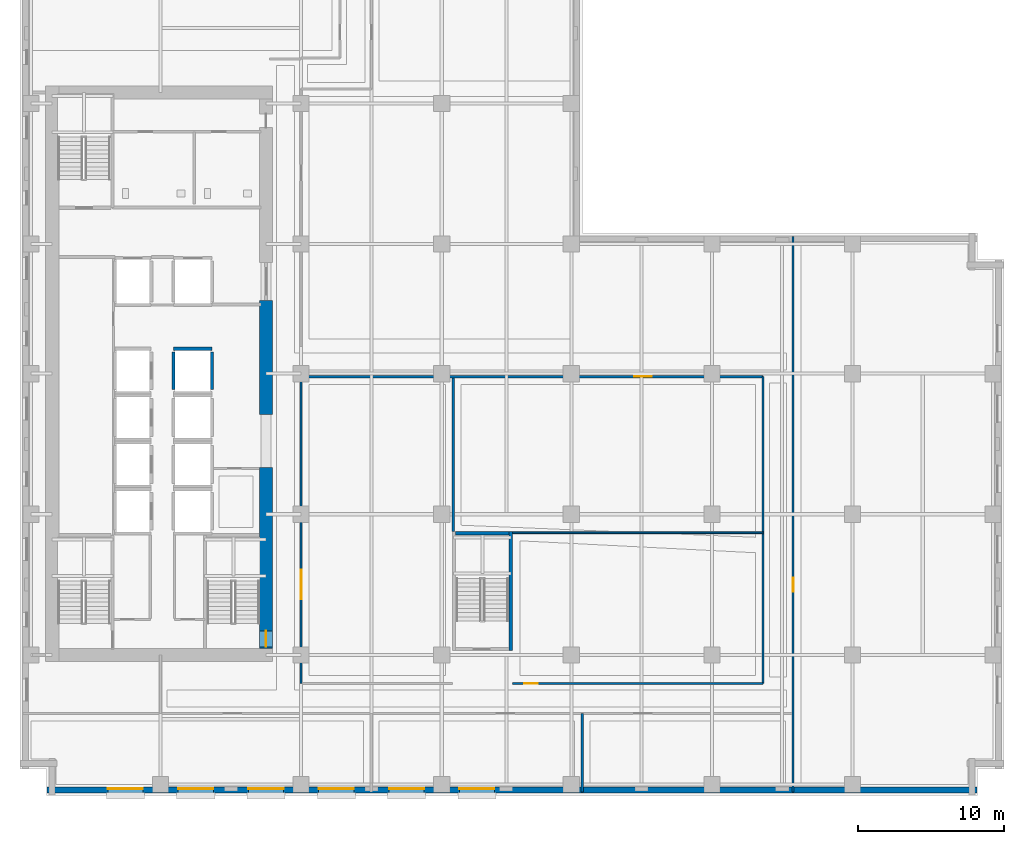
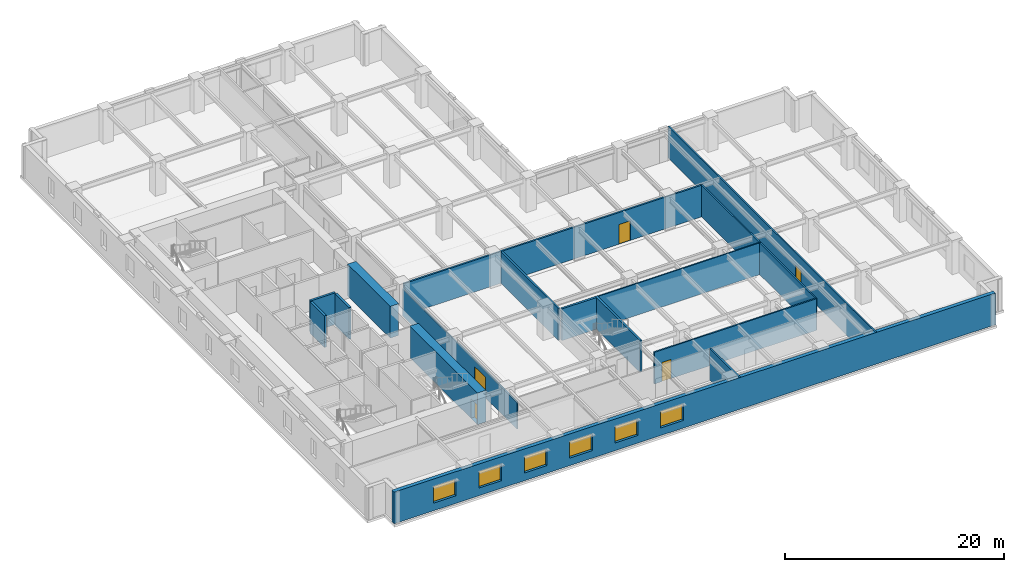
# One storey, part 5 of 14: 16 walls, 6 windows, 5 doors, 11 openings.
"""IFC4 building model written with IfcOpenShell, lengths in metres."""

from ifc_helpers import new_model, si_unit, direction, frame, frame_2d, origin, place, context, subcontext, project, spatial, rectangle, extrude, material, layer, layer_set, type_object, element, fill, save


model = new_model("IFC4")

# Units and contexts
model_context = context("Model", 3, precision=1e-05, world=origin(), true_north=direction((0.0, 1.0)))
body_context = subcontext(model_context, "Body", "Model", "MODEL_VIEW")
ifc_project = project(units=[si_unit("LENGTHUNIT", "METRE"), si_unit("AREAUNIT", "SQUARE_METRE"), si_unit("VOLUMEUNIT", "CUBIC_METRE"), si_unit("PLANEANGLEUNIT", "RADIAN"), si_unit("MASSUNIT", "GRAM", prefix="KILO")], contexts=[model_context])

# Site, building, storey
site_placement = place(None, origin())
site = spatial("IfcSite", under=ifc_project, at=site_placement, CompositionType="ELEMENT")
building_placement = place(site_placement, origin())
building = spatial("IfcBuilding", under=site, at=building_placement, Name="Norrvale University Quadrangle", CompositionType="ELEMENT")
storey_placement = place(building_placement, frame((0.0, 0.0, 73.60009765625)))
storey = spatial("IfcBuildingStorey", under=building, at=storey_placement, Name="L18", CompositionType="ELEMENT", Elevation=73.60009765625)

# Wall, opening, door
ifc_material_1 = material(Name="Concrete C80/95", Category="concrete")
ifc_layer_1 = layer(ifc_material_1, 0.89990234375, Name="Concrete C80/95")
ifc_layer_set_1 = layer_set([ifc_layer_1], Name="Concrete C80/95")
wall_type_1 = type_object("IfcWallType", Name="Wall Core 900", PredefinedType="SHEAR", material=ifc_layer_set_1)
wall_1_placement = place(storey_placement, frame((16.800048828125, 10.050048828125, 0.0), z_axis=(0.0, 0.0, 1.0), x_axis=(0.0, 1.0, 0.0)))
wall_1 = element("IfcWall", 1, at=wall_1_placement, inside=storey, type_object=wall_type_1, Name="Tower Core Shear Wall L18-E1", PredefinedType="SHEAR", context=body_context, shape_type="SweptSolid", body=[
    extrude(rectangle(XDim=12.349853515625, YDim=0.89990234375, at=frame_2d((6.1748046875, 0.0))), origin(), (0.0, 0.0, 1.0), 3.539794921875),
])
opening_1_placement = place(wall_1_placement, frame((0.090087890625, 0.0, 0.0)))
opening_1 = element("IfcOpeningElement", 2, at=opening_1_placement, cuts=wall_1, Name="Opening D02", PredefinedType="OPENING", context=body_context, shape_type="SweptSolid", body=[
    extrude(rectangle(XDim=1.10009765625, YDim=2.199951171875, at=frame_2d((0.550048828125, 1.10009765625))), frame((0.0, 0.4619140625, 0.0), z_axis=(0.0, -1.0, 0.0), x_axis=(1.0, 0.0, 0.0)), (0.0, 0.0, 1.0), 0.923828125),
])
ifc_material_2 = material(Name="Hollow Steel 350W Fire Door", Category="steel")
door_type_1 = type_object("IfcDoorType", Name="Door Stair Exit 1100x2200", OperationType="NOTDEFINED", PredefinedType="DOOR", material=ifc_material_2)
door_1_placement = place(opening_1_placement, origin())
door_1 = element("IfcDoor", 3, at=door_1_placement, inside=storey, type_object=door_type_1, Name="Door Stair Exit 1100x2200 DR-L18-ST03", OperationType="SINGLE_SWING_LEFT", OverallHeight=2.199951171875, OverallWidth=1.10009765625, PredefinedType="DOOR", context=body_context, shape_type="SweptSolid", body=[
    extrude(rectangle(XDim=1.10009765625, YDim=2.199951171875, at=frame_2d((0.550048828125, 1.10009765625))), frame((0.0, 0.02490234375, 0.0), z_axis=(0.0, -1.0, 0.0), x_axis=(1.0, 0.0, 0.0)), (0.0, 0.0, 1.0), 0.050048828125),
])
fill(opening_1, door_1)

# Walls
wall_2_placement = place(storey_placement, frame((16.800048828125, 26.0, 0.0), z_axis=(0.0, 0.0, 1.0), x_axis=(0.0, 1.0, 0.0)))
element("IfcWall", 4, at=wall_2_placement, inside=storey, type_object=wall_type_1, Name="Tower Core Shear Wall L18-E2", PredefinedType="SHEAR", context=body_context, shape_type="SweptSolid", body=[
    extrude(rectangle(XDim=7.800048828125, YDim=0.89990234375, at=frame_2d((3.89990234375, 0.0))), origin(), (0.0, 0.0, 1.0), 3.539794921875),
])
ifc_material_3 = material(Name="Standard Academic Gypsum Partition")
ifc_layer_2 = layer(ifc_material_3, 0.125, Name="Standard Academic Gypsum Partition")
ifc_layer_set_2 = layer_set([ifc_layer_2], Name="Standard Academic Gypsum Partition")
wall_type_2 = type_object("IfcWallType", Name="Wall Gypsum Academic 125", PredefinedType="PARTITIONING", material=ifc_layer_set_2)
wall_3_placement = place(storey_placement, frame((33.6201171875, 17.93994140625, 0.0), z_axis=(0.0, 0.0, 1.0), x_axis=(1.0, 0.0, 0.0)))
element("IfcWall", 5, at=wall_3_placement, inside=storey, type_object=wall_type_2, Name="Interior Partition WL-L18-ISLH", PredefinedType="PARTITIONING", context=body_context, shape_type="SweptSolid", body=[
    extrude(rectangle(XDim=17.1298828125, YDim=0.125, at=frame_2d((8.56494140625, 0.0))), origin(), (0.0, 0.0, 1.0), 3.539794921875),
])

# Wall, opening, door
ifc_material_4 = material(Name="Fire-Rated Gypsum Stud Partition")
ifc_layer_3 = layer(ifc_material_4, 0.14990234375, Name="Fire-Rated Gypsum Stud Partition")
ifc_layer_set_3 = layer_set([ifc_layer_3], Name="Fire-Rated Gypsum Stud Partition")
wall_type_3 = type_object("IfcWallType", Name="Wall Gypsum Corridor 150", PredefinedType="PARTITIONING", material=ifc_layer_set_3)
wall_4_placement = place(storey_placement, frame((52.800048828125, 0.219970703125, 0.0), z_axis=(0.0, 0.0, 1.0), x_axis=(0.0, 1.0, 0.0)))
wall_4 = element("IfcWall", 6, at=wall_4_placement, inside=storey, type_object=wall_type_3, Name="Interior Partition WL-L18-ECW", PredefinedType="PARTITIONING", context=body_context, shape_type="SweptSolid", body=[
    extrude(rectangle(XDim=37.9599609375, YDim=0.14990234375, at=frame_2d((18.97998046875, 0.0))), origin(), (0.0, 0.0, 1.0), 3.539794921875),
])
opening_2_placement = place(wall_4_placement, frame((13.679931640625, 0.0, 0.0)))
opening_2 = element("IfcOpeningElement", 7, at=opening_2_placement, cuts=wall_4, Name="Opening D07", PredefinedType="OPENING", context=body_context, shape_type="SweptSolid", body=[
    extrude(rectangle(XDim=0.949951171875, YDim=2.14990234375, at=frame_2d((0.47509765625, 1.074951171875))), frame((0.0, 0.0869140625, 0.0), z_axis=(0.0, -1.0, 0.0), x_axis=(1.0, 0.0, 0.0)), (0.0, 0.0, 1.0), 0.173828125),
])
ifc_material_5 = material(Name="Solid-Core Maple Door", Category="wood")
door_type_2 = type_object("IfcDoorType", Name="Door Office 950x2150", OperationType="NOTDEFINED", PredefinedType="DOOR", material=ifc_material_5)
door_2_placement = place(opening_2_placement, origin())
door_2 = element("IfcDoor", 8, at=door_2_placement, inside=storey, type_object=door_type_2, Name="Door Office 950x2150 DR-L18-E01", OperationType="SINGLE_SWING_RIGHT", OverallHeight=2.14990234375, OverallWidth=0.949951171875, PredefinedType="DOOR", context=body_context, shape_type="SweptSolid", body=[
    extrude(rectangle(XDim=0.949951171875, YDim=2.14990234375, at=frame_2d((0.47509765625, 1.074951171875))), frame((0.0, 0.02490234375, 0.0), z_axis=(0.0, -1.0, 0.0), x_axis=(1.0, 0.0, 0.0)), (0.0, 0.0, 1.0), 0.050048828125),
])
fill(opening_2, door_2)

wall_5_placement = place(storey_placement, frame((19.199951171875, 7.64990234375, 0.0), z_axis=(0.0, 0.0, 1.0), x_axis=(0.0, 1.0, 0.0)))
wall_5 = element("IfcWall", 9, at=wall_5_placement, inside=storey, type_object=wall_type_3, Name="Interior Partition WL-L18-ISLW", PredefinedType="PARTITIONING", context=body_context, shape_type="SweptSolid", body=[
    extrude(rectangle(XDim=20.9501953125, YDim=0.14990234375, at=frame_2d((10.47509765625, 0.0))), origin(), (0.0, 0.0, 1.0), 2.995849609375),
])
opening_3_placement = place(wall_5_placement, frame((5.75, 0.0, 0.0)))
opening_3 = element("IfcOpeningElement", 10, at=opening_3_placement, cuts=wall_5, Name="Opening D06", PredefinedType="OPENING", context=body_context, shape_type="SweptSolid", body=[
    extrude(rectangle(XDim=2.0, YDim=2.300048828125, at=frame_2d((1.0, 1.14990234375))), frame((0.0, 0.0869140625, 0.0), z_axis=(0.0, -1.0, 0.0), x_axis=(1.0, 0.0, 0.0)), (0.0, 0.0, 1.0), 0.173828125),
])
ifc_material_6 = material(Name="Acoustic Oak Double Door", Category="wood")
door_type_3 = type_object("IfcDoorType", Name="Door Lecture Dbl 2000x2300", OperationType="DOUBLE_SWING_LEFT", PredefinedType="DOOR", material=ifc_material_6)
door_3_placement = place(opening_3_placement, origin())
door_3 = element("IfcDoor", 11, at=door_3_placement, inside=storey, type_object=door_type_3, Name="Door Lecture Dbl 2000x2300 DR-L18-IW1", OperationType="DOUBLE_SWING_LEFT", OverallHeight=2.300048828125, OverallWidth=2.0, PredefinedType="DOOR", context=body_context, shape_type="SweptSolid", body=[
    extrude(rectangle(XDim=2.0, YDim=2.300048828125, at=frame_2d((1.0, 1.14990234375))), frame((0.0, 0.02490234375, 0.0), z_axis=(0.0, -1.0, 0.0), x_axis=(1.0, 0.0, 0.0)), (0.0, 0.0, 1.0), 0.050048828125),
])
fill(opening_3, door_3)

wall_6_placement = place(storey_placement, frame((33.6201171875, 7.64990234375, 0.0), z_axis=(0.0, 0.0, 1.0), x_axis=(1.0, 0.0, 0.0)))
wall_6 = element("IfcWall", 12, at=wall_6_placement, inside=storey, type_object=wall_type_3, Name="Interior Partition WL-L18-ISLS2", PredefinedType="PARTITIONING", context=body_context, shape_type="SweptSolid", body=[
    extrude(rectangle(XDim=17.1298828125, YDim=0.14990234375, at=frame_2d((8.56494140625, 0.0))), origin(), (0.0, 0.0, 1.0), 3.539794921875),
])
opening_4_placement = place(wall_6_placement, frame((0.800048828125, 0.0, 0.0)))
opening_4 = element("IfcOpeningElement", 13, at=opening_4_placement, cuts=wall_6, Name="Opening D07", PredefinedType="OPENING", context=body_context, shape_type="SweptSolid", body=[
    extrude(rectangle(XDim=0.949951171875, YDim=2.14990234375, at=frame_2d((0.47509765625, 1.074951171875))), frame((0.0, 0.0869140625, 0.0), z_axis=(0.0, -1.0, 0.0), x_axis=(1.0, 0.0, 0.0)), (0.0, 0.0, 1.0), 0.173828125),
])
door_4_placement = place(opening_4_placement, origin())
door_4 = element("IfcDoor", 14, at=door_4_placement, inside=storey, type_object=door_type_2, Name="Door Office 950x2150 DR-L18-ISE", OperationType="SINGLE_SWING_LEFT", OverallHeight=2.14990234375, OverallWidth=0.949951171875, PredefinedType="DOOR", context=body_context, shape_type="SweptSolid", body=[
    extrude(rectangle(XDim=0.949951171875, YDim=2.14990234375, at=frame_2d((0.47509765625, 1.074951171875))), frame((0.0, 0.02490234375, 0.0), z_axis=(0.0, -1.0, 0.0), x_axis=(1.0, 0.0, 0.0)), (0.0, 0.0, 1.0), 0.050048828125),
])
fill(opening_4, door_4)

# Walls
wall_7_placement = place(storey_placement, frame((50.75, 7.64990234375, 0.0), z_axis=(0.0, 0.0, 1.0), x_axis=(0.0, 1.0, 0.0)))
element("IfcWall", 15, at=wall_7_placement, inside=storey, type_object=wall_type_3, Name="Interior Partition WL-L18-ISLE", PredefinedType="PARTITIONING", context=body_context, shape_type="SweptSolid", body=[
    extrude(rectangle(XDim=20.9501953125, YDim=0.14990234375, at=frame_2d((10.47509765625, 0.0))), origin(), (0.0, 0.0, 1.0), 3.539794921875),
])
ifc_material_7 = material(Name="Acoustic Double-Stud Gypsum Partition")
ifc_layer_4 = layer(ifc_material_7, 0.179931640625, Name="Acoustic Double-Stud Gypsum Partition")
ifc_layer_set_4 = layer_set([ifc_layer_4], Name="Acoustic Double-Stud Gypsum Partition")
wall_type_4 = type_object("IfcWallType", Name="Wall Gypsum Lecture 180", PredefinedType="PARTITIONING", material=ifc_layer_set_4)
wall_8_placement = place(storey_placement, frame((29.580078125, 18.02490234375, 0.0), z_axis=(0.0, 0.0, 1.0), x_axis=(0.0, 1.0, 0.0)))
element("IfcWall", 16, at=wall_8_placement, inside=storey, type_object=wall_type_4, Name="Interior Partition WL-L18-ISLD", PredefinedType="PARTITIONING", context=body_context, shape_type="SweptSolid", body=[
    extrude(rectangle(XDim=10.47998046875, YDim=0.179931640625, at=frame_2d((5.239990234375, 0.0))), origin(), (0.0, 0.0, 1.0), 3.539794921875),
])

# Wall, opening, door
wall_9_placement = place(storey_placement, frame((19.280029296875, 28.60009765625, 0.0), z_axis=(0.0, 0.0, 1.0), x_axis=(1.0, 0.0, 0.0)))
wall_9 = element("IfcWall", 17, at=wall_9_placement, inside=storey, type_object=wall_type_4, Name="Interior Partition WL-L18-ISLN", PredefinedType="PARTITIONING", context=body_context, shape_type="SweptSolid", body=[
    extrude(rectangle(XDim=31.469970703125, YDim=0.179931640625, at=frame_2d((15.73486328125, 0.0))), origin(), (0.0, 0.0, 1.0), 3.539794921875),
])
opening_5_placement = place(wall_9_placement, frame((22.669921875, 0.0, 0.0)))
opening_5 = element("IfcOpeningElement", 18, at=opening_5_placement, cuts=wall_9, Name="Opening D05", PredefinedType="OPENING", context=body_context, shape_type="SweptSolid", body=[
    extrude(rectangle(XDim=1.199951171875, YDim=2.199951171875, at=frame_2d((0.60009765625, 1.10009765625))), frame((0.0, 0.10205078125, 0.0), z_axis=(0.0, -1.0, 0.0), x_axis=(1.0, 0.0, 0.0)), (0.0, 0.0, 1.0), 0.203857421875),
])
ifc_material_8 = material(Name="Acoustic Oak Classroom Door", Category="wood")
door_type_4 = type_object("IfcDoorType", Name="Door Classroom 1200x2200", OperationType="NOTDEFINED", PredefinedType="DOOR", material=ifc_material_8)
door_5_placement = place(opening_5_placement, origin())
door_5 = element("IfcDoor", 19, at=door_5_placement, inside=storey, type_object=door_type_4, Name="Door Classroom 1200x2200 DR-L18-ILH", OperationType="SINGLE_SWING_RIGHT", OverallHeight=2.199951171875, OverallWidth=1.199951171875, PredefinedType="DOOR", context=body_context, shape_type="SweptSolid", body=[
    extrude(rectangle(XDim=1.199951171875, YDim=2.199951171875, at=frame_2d((0.60009765625, 1.10009765625))), frame((0.0, 0.02490234375, 0.0), z_axis=(0.0, -1.0, 0.0), x_axis=(1.0, 0.0, 0.0)), (0.0, 0.0, 1.0), 0.050048828125),
])
fill(opening_5, door_5)

# Wall
ifc_material_9 = material(Name="Sanitary Chase Gypsum Partition")
ifc_layer_5 = layer(ifc_material_9, 0.1650390625, Name="Sanitary Chase Gypsum Partition")
ifc_layer_set_5 = layer_set([ifc_layer_5], Name="Sanitary Chase Gypsum Partition")
wall_type_5 = type_object("IfcWallType", Name="Wall Gypsum Sanitary 165", PredefinedType="PLUMBINGWALL", material=ifc_layer_set_5)
wall_10_placement = place(storey_placement, frame((38.39990234375, 0.219970703125, 0.0), z_axis=(0.0, 0.0, 1.0), x_axis=(0.0, 1.0, 0.0)))
element("IfcWall", 20, at=wall_10_placement, inside=storey, type_object=wall_type_5, Name="Interior Partition WL-L18-SP02", PredefinedType="PLUMBINGWALL", context=body_context, shape_type="SweptSolid", body=[
    extrude(rectangle(XDim=5.380126953125, YDim=0.1650390625, at=frame_2d((2.68994140625, 0.0))), origin(), (0.0, 0.0, 1.0), 3.539794921875),
])

# Wall, openings, windows
ifc_material_10 = material(Name="Red Manganese Brick Masonry", Category="masonry")
ifc_layer_6 = layer(ifc_material_10, 0.39990234375, Name="Red Manganese Brick Masonry")
ifc_layer_set_6 = layer_set([ifc_layer_6], Name="Red Manganese Brick Masonry")
wall_type_6 = type_object("IfcWallType", Name="Wall Red Brick 400", PredefinedType="SOLIDWALL", material=ifc_layer_set_6)
wall_11_placement = place(storey_placement, frame((1.840087890625, 0.3798828125, 0.0), z_axis=(0.0, 0.0, 1.0), x_axis=(1.0, 0.0, 0.0)))
wall_11 = element("IfcWall", 21, at=wall_11_placement, inside=storey, type_object=wall_type_6, Name="Exterior Brick Facade Wall L18-01.1", PredefinedType="SOLIDWALL", context=body_context, shape_type="SweptSolid", body=[
    extrude(rectangle(XDim=63.52001953125, YDim=0.39990234375, at=frame_2d((31.760009765625, 0.0))), origin(), (0.0, 0.0, 1.0), 3.539794921875),
])
opening_6_placement = place(wall_11_placement, frame((4.159912109375, 0.0, 0.85009765625)))
opening_6 = element("IfcOpeningElement", 22, at=opening_6_placement, cuts=wall_11, Name="Opening W02", PredefinedType="OPENING", context=body_context, shape_type="SweptSolid", body=[
    extrude(rectangle(XDim=2.39990234375, YDim=1.85009765625, at=frame_2d((1.199951171875, 0.925048828125))), frame((0.0, 0.2119140625, 0.0), z_axis=(0.0, -1.0, 0.0), x_axis=(1.0, 0.0, 0.0)), (0.0, 0.0, 1.0), 0.423828125),
])
opening_7_placement = place(wall_11_placement, frame((8.9599609375, 0.0, 0.85009765625)))
opening_7 = element("IfcOpeningElement", 23, at=opening_7_placement, cuts=wall_11, Name="Opening W02", PredefinedType="OPENING", context=body_context, shape_type="SweptSolid", body=[
    extrude(rectangle(XDim=2.39990234375, YDim=1.85009765625, at=frame_2d((1.199951171875, 0.925048828125))), frame((0.0, 0.2119140625, 0.0), z_axis=(0.0, -1.0, 0.0), x_axis=(1.0, 0.0, 0.0)), (0.0, 0.0, 1.0), 0.423828125),
])
opening_8_placement = place(wall_11_placement, frame((13.760009765625, 0.0, 0.85009765625)))
opening_8 = element("IfcOpeningElement", 24, at=opening_8_placement, cuts=wall_11, Name="Opening W02", PredefinedType="OPENING", context=body_context, shape_type="SweptSolid", body=[
    extrude(rectangle(XDim=2.39990234375, YDim=1.85009765625, at=frame_2d((1.199951171875, 0.925048828125))), frame((0.0, 0.2119140625, 0.0), z_axis=(0.0, -1.0, 0.0), x_axis=(1.0, 0.0, 0.0)), (0.0, 0.0, 1.0), 0.423828125),
])
opening_9_placement = place(wall_11_placement, frame((18.56005859375, 0.0, 0.85009765625)))
opening_9 = element("IfcOpeningElement", 25, at=opening_9_placement, cuts=wall_11, Name="Opening W02", PredefinedType="OPENING", context=body_context, shape_type="SweptSolid", body=[
    extrude(rectangle(XDim=2.39990234375, YDim=1.85009765625, at=frame_2d((1.199951171875, 0.925048828125))), frame((0.0, 0.2119140625, 0.0), z_axis=(0.0, -1.0, 0.0), x_axis=(1.0, 0.0, 0.0)), (0.0, 0.0, 1.0), 0.423828125),
])
opening_10_placement = place(wall_11_placement, frame((23.360107421875, 0.0, 0.85009765625)))
opening_10 = element("IfcOpeningElement", 26, at=opening_10_placement, cuts=wall_11, Name="Opening W02", PredefinedType="OPENING", context=body_context, shape_type="SweptSolid", body=[
    extrude(rectangle(XDim=2.39990234375, YDim=1.85009765625, at=frame_2d((1.199951171875, 0.925048828125))), frame((0.0, 0.2119140625, 0.0), z_axis=(0.0, -1.0, 0.0), x_axis=(1.0, 0.0, 0.0)), (0.0, 0.0, 1.0), 0.423828125),
])
opening_11_placement = place(wall_11_placement, frame((28.159912109375, 0.0, 0.85009765625)))
opening_11 = element("IfcOpeningElement", 27, at=opening_11_placement, cuts=wall_11, Name="Opening W02", PredefinedType="OPENING", context=body_context, shape_type="SweptSolid", body=[
    extrude(rectangle(XDim=2.39990234375, YDim=1.85009765625, at=frame_2d((1.199951171875, 0.925048828125))), frame((0.0, 0.2119140625, 0.0), z_axis=(0.0, -1.0, 0.0), x_axis=(1.0, 0.0, 0.0)), (0.0, 0.0, 1.0), 0.423828125),
])
ifc_material_11 = material(Name="Triple Low-E Argon Glazing", Category="glass")
window_type = type_object("IfcWindowType", Name="Window Academic 2400x2300", PartitioningType="TRIPLE_PANEL_VERTICAL", PredefinedType="WINDOW", material=ifc_material_11)
window_1_placement = place(opening_6_placement, origin())
window_1 = element("IfcWindow", 28, at=window_1_placement, inside=storey, type_object=window_type, Name="Window Academic 2400x2300 WIN-L18-E01-1-01", OverallHeight=1.85009765625, OverallWidth=2.39990234375, PartitioningType="TRIPLE_PANEL_VERTICAL", PredefinedType="WINDOW", context=body_context, shape_type="SweptSolid", body=[
    extrude(rectangle(XDim=2.39990234375, YDim=1.85009765625, at=frame_2d((1.199951171875, 0.925048828125))), frame((0.0, 0.110107421875, 0.0), z_axis=(0.0, -1.0, 0.0), x_axis=(1.0, 0.0, 0.0)), (0.0, 0.0, 1.0), 0.06005859375),
])
fill(opening_6, window_1)
window_2_placement = place(opening_7_placement, origin())
window_2 = element("IfcWindow", 29, at=window_2_placement, inside=storey, type_object=window_type, Name="Window Academic 2400x2300 WIN-L18-E01-1-02", OverallHeight=1.85009765625, OverallWidth=2.39990234375, PartitioningType="TRIPLE_PANEL_VERTICAL", PredefinedType="WINDOW", context=body_context, shape_type="SweptSolid", body=[
    extrude(rectangle(XDim=2.39990234375, YDim=1.85009765625, at=frame_2d((1.199951171875, 0.925048828125))), frame((0.0, 0.110107421875, 0.0), z_axis=(0.0, -1.0, 0.0), x_axis=(1.0, 0.0, 0.0)), (0.0, 0.0, 1.0), 0.06005859375),
])
fill(opening_7, window_2)
window_3_placement = place(opening_8_placement, origin())
window_3 = element("IfcWindow", 30, at=window_3_placement, inside=storey, type_object=window_type, Name="Window Academic 2400x2300 WIN-L18-E01-1-03", OverallHeight=1.85009765625, OverallWidth=2.39990234375, PartitioningType="TRIPLE_PANEL_VERTICAL", PredefinedType="WINDOW", context=body_context, shape_type="SweptSolid", body=[
    extrude(rectangle(XDim=2.39990234375, YDim=1.85009765625, at=frame_2d((1.199951171875, 0.925048828125))), frame((0.0, 0.110107421875, 0.0), z_axis=(0.0, -1.0, 0.0), x_axis=(1.0, 0.0, 0.0)), (0.0, 0.0, 1.0), 0.06005859375),
])
fill(opening_8, window_3)
window_4_placement = place(opening_9_placement, origin())
window_4 = element("IfcWindow", 31, at=window_4_placement, inside=storey, type_object=window_type, Name="Window Academic 2400x2300 WIN-L18-E01-1-04", OverallHeight=1.85009765625, OverallWidth=2.39990234375, PartitioningType="TRIPLE_PANEL_VERTICAL", PredefinedType="WINDOW", context=body_context, shape_type="SweptSolid", body=[
    extrude(rectangle(XDim=2.39990234375, YDim=1.85009765625, at=frame_2d((1.199951171875, 0.925048828125))), frame((0.0, 0.110107421875, 0.0), z_axis=(0.0, -1.0, 0.0), x_axis=(1.0, 0.0, 0.0)), (0.0, 0.0, 1.0), 0.06005859375),
])
fill(opening_9, window_4)
window_5_placement = place(opening_10_placement, origin())
window_5 = element("IfcWindow", 32, at=window_5_placement, inside=storey, type_object=window_type, Name="Window Academic 2400x2300 WIN-L18-E01-1-05", OverallHeight=1.85009765625, OverallWidth=2.39990234375, PartitioningType="TRIPLE_PANEL_VERTICAL", PredefinedType="WINDOW", context=body_context, shape_type="SweptSolid", body=[
    extrude(rectangle(XDim=2.39990234375, YDim=1.85009765625, at=frame_2d((1.199951171875, 0.925048828125))), frame((0.0, 0.110107421875, 0.0), z_axis=(0.0, -1.0, 0.0), x_axis=(1.0, 0.0, 0.0)), (0.0, 0.0, 1.0), 0.06005859375),
])
fill(opening_10, window_5)
window_6_placement = place(opening_11_placement, origin())
window_6 = element("IfcWindow", 33, at=window_6_placement, inside=storey, type_object=window_type, Name="Window Academic 2400x2300 WIN-L18-E01-1-06", OverallHeight=1.85009765625, OverallWidth=2.39990234375, PartitioningType="TRIPLE_PANEL_VERTICAL", PredefinedType="WINDOW", context=body_context, shape_type="SweptSolid", body=[
    extrude(rectangle(XDim=2.39990234375, YDim=1.85009765625, at=frame_2d((1.199951171875, 0.925048828125))), frame((0.0, 0.110107421875, 0.0), z_axis=(0.0, -1.0, 0.0), x_axis=(1.0, 0.0, 0.0)), (0.0, 0.0, 1.0), 0.06005859375),
])
fill(opening_11, window_6)

# Walls
ifc_material_12 = material(Name="Concrete Blockwork 20 MPa Fire Shaft", Category="masonry")
ifc_layer_7 = layer(ifc_material_12, 0.219970703125, Name="Concrete Blockwork 20 MPa Fire Shaft")
ifc_layer_set_7 = layer_set([ifc_layer_7], Name="Concrete Blockwork 20 MPa Fire Shaft")
wall_type_7 = type_object("IfcWallType", Name="Wall Shaft 220", PredefinedType="SOLIDWALL", material=ifc_layer_set_7)
wall_12_placement = place(storey_placement, frame((33.510009765625, 9.8798828125, 0.0), z_axis=(0.0, 0.0, 1.0), x_axis=(0.0, 1.0, 0.0)))
element("IfcWall", 34, at=wall_12_placement, inside=storey, type_object=wall_type_7, Name="Stair ST-04 East Shaft Wall L18", PredefinedType="SOLIDWALL", context=body_context, shape_type="SweptSolid", body=[
    extrude(rectangle(XDim=8.14013671875, YDim=0.219970703125, at=frame_2d((4.070068359375, 0.0))), origin(), (0.0, 0.0, 1.0), 3.539794921875),
])
wall_13_placement = place(storey_placement, frame((29.75, 17.909912109375, 0.0), z_axis=(0.0, 0.0, 1.0), x_axis=(1.0, 0.0, 0.0)))
element("IfcWall", 35, at=wall_13_placement, inside=storey, type_object=wall_type_7, Name="Stair ST-04 North Shaft Wall L18", PredefinedType="SOLIDWALL", context=body_context, shape_type="SweptSolid", body=[
    extrude(rectangle(XDim=3.64990234375, YDim=0.219970703125, at=frame_2d((1.824951171875, 0.0))), origin(), (0.0, 0.0, 1.0), 3.539794921875),
])
for number, where, z_axis, x_axis, name in (
    (36, (10.489990234375, 27.7099609375, 0.0), (0.0, 0.0, 1.0), (0.0, 1.0, 0.0), "Hoistway PL-08 West Wall L18"),
    (37, (13.110107421875, 27.7099609375, 0.0), (0.0, 0.0, 1.0), (0.0, 1.0, 0.0), "Hoistway PL-08 East Wall L18"),
):
    element("IfcWall", number, at=place(storey_placement, frame(where, z_axis=z_axis, x_axis=x_axis)), inside=storey, type_object=wall_type_7, Name=name, PredefinedType="SOLIDWALL", context=body_context, shape_type="SweptSolid", body=[
        extrude(rectangle(XDim=2.580078125, YDim=0.219970703125, at=frame_2d((1.2900390625, 0.0))), origin(), (0.0, 0.0, 1.0), 3.539794921875),
    ])
wall_14_placement = place(storey_placement, frame((10.489990234375, 30.510009765625, 0.0), z_axis=(0.0, 0.0, 1.0), x_axis=(1.0, 0.0, 0.0)))
element("IfcWall", 38, at=wall_14_placement, inside=storey, type_object=wall_type_7, Name="Hoistway PL-08 North Wall L18", PredefinedType="SOLIDWALL", context=body_context, shape_type="SweptSolid", body=[
    extrude(rectangle(XDim=2.6201171875, YDim=0.219970703125, at=frame_2d((1.31005859375, 0.0))), origin(), (0.0, 0.0, 1.0), 3.539794921875),
])

save(model, "model.ifc")
